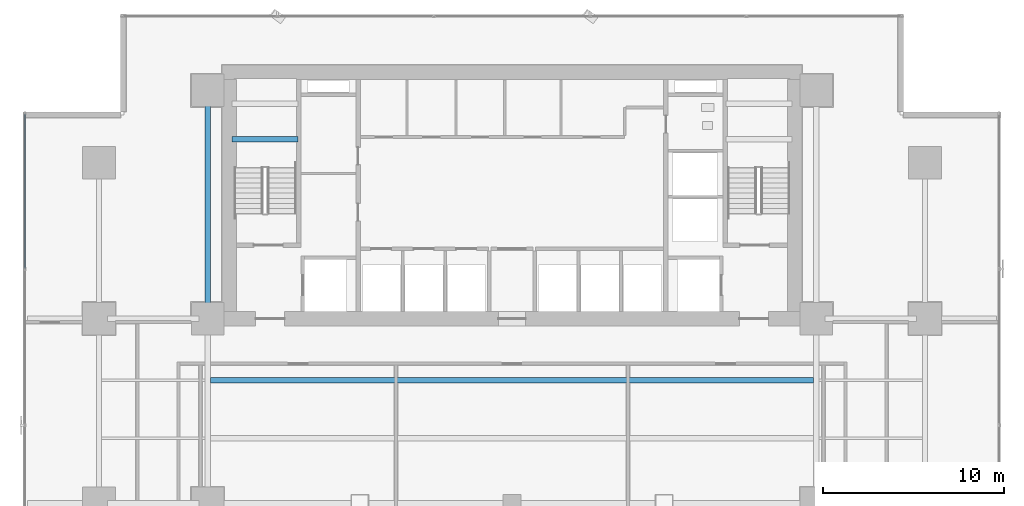
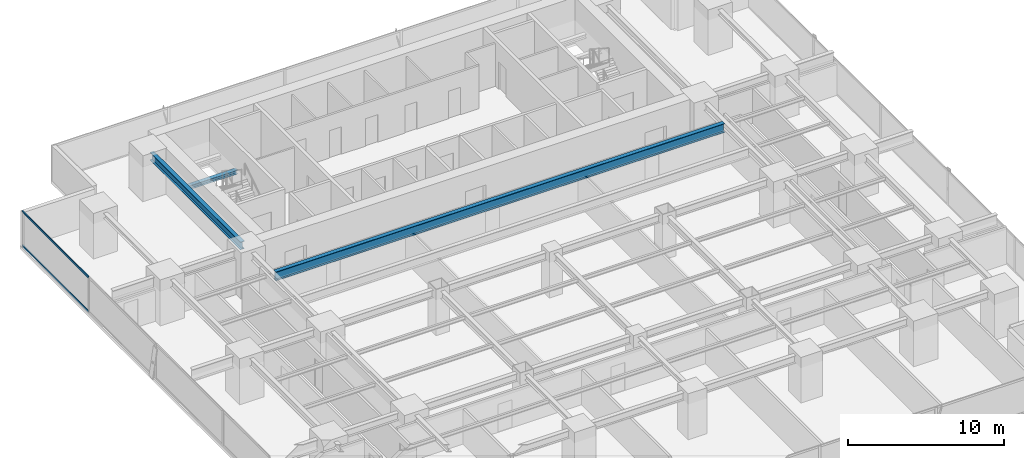
# One storey, part 17 of 34: 3 beams, 2 members, 1 element without a shape of its own.
"""IFC4 building model written with IfcOpenShell, lengths in metres."""

from ifc_helpers import new_model, si_unit, direction, frame, origin, origin_2d, place, context, subcontext, project, spatial, hollow_rectangle, i_section, extrude, source, transform, mapped, material, layer, layer_set, material_profile, profile_set, type_object, element, aggregate, save


model = new_model("IFC4")

# Units and contexts
model_context = context("Model", 3, precision=1e-05, world=origin(), true_north=direction((0.0, 1.0)))
body_context = subcontext(model_context, "Body", "Model", "MODEL_VIEW")
ifc_project = project(units=[si_unit("LENGTHUNIT", "METRE"), si_unit("AREAUNIT", "SQUARE_METRE"), si_unit("VOLUMEUNIT", "CUBIC_METRE"), si_unit("PLANEANGLEUNIT", "RADIAN"), si_unit("MASSUNIT", "GRAM", prefix="KILO")], contexts=[model_context])

# Site, building, storey
site_placement = place(None, origin())
site = spatial("IfcSite", under=ifc_project, at=site_placement, CompositionType="ELEMENT")
building_placement = place(site_placement, origin())
building = spatial("IfcBuilding", under=site, at=building_placement, Name="Sumidabori Civic Tower", CompositionType="ELEMENT")
storey_placement = place(building_placement, frame((0.0, 0.0, 56.0)))
storey = spatial("IfcBuildingStorey", under=building, at=storey_placement, Name="L14", CompositionType="ELEMENT", Elevation=56.0)

# Beams
ifc_material_1 = material(Name="Steel SN490", Category="steel")
ifc_material_profile_1 = material_profile(ifc_material_1, i_section(OverallWidth=0.300048828125, OverallDepth=0.300048828125, WebThickness=0.010986328125, FlangeThickness=0.01904296875, at=origin_2d()), Name="HE 300 B")
ifc_profile_set_1 = profile_set([ifc_material_profile_1], Name="Steel SN490")
beam_type_1 = type_object("IfcBeamType", Name="BM-LDG-300", PredefinedType="BEAM", material=ifc_profile_set_1)
shared_shape_1 = source(origin(), body_context, "Body", "SweptSolid", [
    extrude(i_section(OverallWidth=0.300048828125, OverallDepth=0.300048828125, WebThickness=0.010986328125, FlangeThickness=0.01904296875, at=origin_2d()), origin(), (0.0, 0.0, 1.0), 3.64990234375),
])
beam_1_placement = place(storey_placement, frame((-15.449951171875, 20.09765625, 1.449951171875), z_axis=(1.0, 0.0, 0.0), x_axis=(0.0, 1.0, 0.0)))
element("IfcBeam", 1, at=beam_1_placement, inside=storey, type_object=beam_type_1, Name="Stair ST-1 Landing Support Beam L14-1A", PredefinedType="BEAM", context=body_context, shape_type="MappedRepresentation", body=[
    mapped(shared_shape_1, transform((0.0, 0.0, 0.0), x_axis=(1.0, 0.0, 0.0), y_axis=(0.0, 1.0, 0.0), z_axis=(0.0, 0.0, 1.0), scale=1.0)),
])
ifc_material_profile_2 = material_profile(ifc_material_1, i_section(OverallWidth=0.300048828125, OverallDepth=0.60009765625, WebThickness=0.015380859375, FlangeThickness=0.030029296875, at=origin_2d()), Name="HE 600 B")
ifc_profile_set_2 = profile_set([ifc_material_profile_2], Name="Steel SN490")
beam_type_2 = type_object("IfcBeamType", Name="BM-GIRD-600", PredefinedType="BEAM", material=ifc_profile_set_2)
shared_shape_2 = source(origin(), body_context, "Body", "SweptSolid", [
    extrude(i_section(OverallWidth=0.300048828125, OverallDepth=0.60009765625, WebThickness=0.015380859375, FlangeThickness=0.030029296875, at=origin_2d()), origin(), (0.0, 0.0, 1.0), 11.64013671875),
])
beam_2_placement = place(storey_placement, frame((-16.800048828125, 10.679931640625, 3.06005859375), z_axis=(0.0, 1.0, 0.0), x_axis=(-1.0, 0.0, 0.0)))
element("IfcBeam", 2, at=beam_2_placement, inside=storey, type_object=beam_type_2, Name="Primary Girder L14 GY-28", PredefinedType="BEAM", context=body_context, shape_type="MappedRepresentation", body=[
    mapped(shared_shape_2, transform((0.0, 0.0, 0.0), x_axis=(1.0, 0.0, 0.0), y_axis=(0.0, 1.0, 0.0), z_axis=(0.0, 0.0, 1.0), scale=1.0)),
])
ifc_material_profile_3 = material_profile(ifc_material_1, i_section(OverallWidth=0.300048828125, OverallDepth=0.699951171875, WebThickness=0.01708984375, FlangeThickness=0.031982421875, at=origin_2d()), Name="HE 700 B")
ifc_profile_set_3 = profile_set([ifc_material_profile_3], Name="Steel SN490")
beam_type_3 = type_object("IfcBeamType", Name="BM-GIRD-700", PredefinedType="BEAM", material=ifc_profile_set_3)
shared_shape_3 = source(origin(), body_context, "Body", "SweptSolid", [
    extrude(i_section(OverallWidth=0.300048828125, OverallDepth=0.699951171875, WebThickness=0.01708984375, FlangeThickness=0.031982421875, at=origin_2d()), origin(), (0.0, 0.0, 1.0), 33.2998046875),
])
beam_3_placement = place(storey_placement, frame((-16.64990234375, 6.800048828125, 3.010009765625), z_axis=(1.0, 0.0, 0.0), x_axis=(0.0, 1.0, 0.0)))
element("IfcBeam", 3, at=beam_3_placement, inside=storey, type_object=beam_type_3, Name="North Bay Floor Beam L14 JSTN-60", PredefinedType="BEAM", context=body_context, shape_type="MappedRepresentation", body=[
    mapped(shared_shape_3, transform((0.0, 0.0, 0.0), x_axis=(1.0, 0.0, 0.0), y_axis=(0.0, 1.0, 0.0), z_axis=(0.0, 0.0, 1.0), scale=1.0)),
])

# Curtain wall, members
ifc_material_2 = material(Name="Anodised Bronze Aluminium AW-6063-T6", Category="aluminium")
ifc_layer = layer(ifc_material_2, 0.179931640625, Name="Anodised Bronze Aluminium AW-6063-T6")
ifc_layer_set = layer_set([ifc_layer], Name="Anodised Bronze Aluminium AW-6063-T6")
curtain_wall_type = type_object("IfcCurtainWallType", Name="CW-SYS-2", PredefinedType="NOTDEFINED", material=ifc_layer_set)
curtain_wall_placement = place(storey_placement, origin())
curtain_wall = element("IfcCurtainWall", 4, at=curtain_wall_placement, inside=storey, type_object=curtain_wall_type, Name="Curtain Wall CW:L14:R10", PredefinedType="NOTDEFINED")
ifc_material_profile_4 = material_profile(ifc_material_2, hollow_rectangle(XDim=0.06494140625, YDim=0.14990234375, WallThickness=0.0048828125, at=origin_2d()), Name="ALU TRANSOM 150x65")
ifc_profile_set_4 = profile_set([ifc_material_profile_4], Name="Anodised Bronze Aluminium AW-6063-T6")
member_type = type_object("IfcMemberType", Name="CW-TRN-150", PredefinedType="USERDEFINED", material=ifc_profile_set_4)
shared_shape_4 = source(origin(), body_context, "Body", "SweptSolid", [
    extrude(hollow_rectangle(XDim=0.06494140625, YDim=0.14990234375, WallThickness=0.0048828125, at=origin_2d()), origin(), (0.0, 0.0, 1.0), 8.52294921875),
])
member_1_placement = place(storey_placement, frame((-26.8798828125, 21.5, 0.032470703125), z_axis=(0.0, -1.0, 0.0), x_axis=(1.0, 0.0, 0.0)))
member_1 = element("IfcMember", 5, at=member_1_placement, type_object=member_type, Name="CW-2 transom 1.1", ObjectType="TRANSOM", PredefinedType="USERDEFINED", context=body_context, shape_type="MappedRepresentation", body=[
    mapped(shared_shape_4, transform((0.0, 0.0, 0.0), x_axis=(1.0, 0.0, 0.0), y_axis=(0.0, 1.0, 0.0), z_axis=(0.0, 0.0, 1.0), scale=1.0)),
])
member_2_placement = place(storey_placement, frame((-26.8798828125, 21.5, 2.70751953125), z_axis=(0.0, -1.0, 0.0), x_axis=(1.0, 0.0, 0.0)))
member_2 = element("IfcMember", 6, at=member_2_placement, type_object=member_type, Name="CW-2 transom 1.2", ObjectType="TRANSOM", PredefinedType="USERDEFINED", context=body_context, shape_type="MappedRepresentation", body=[
    mapped(shared_shape_4, transform((0.0, 0.0, 0.0), x_axis=(1.0, 0.0, 0.0), y_axis=(0.0, 1.0, 0.0), z_axis=(0.0, 0.0, 1.0), scale=1.0)),
])
aggregate(curtain_wall, [member_1, member_2])

save(model, "model.ifc")
